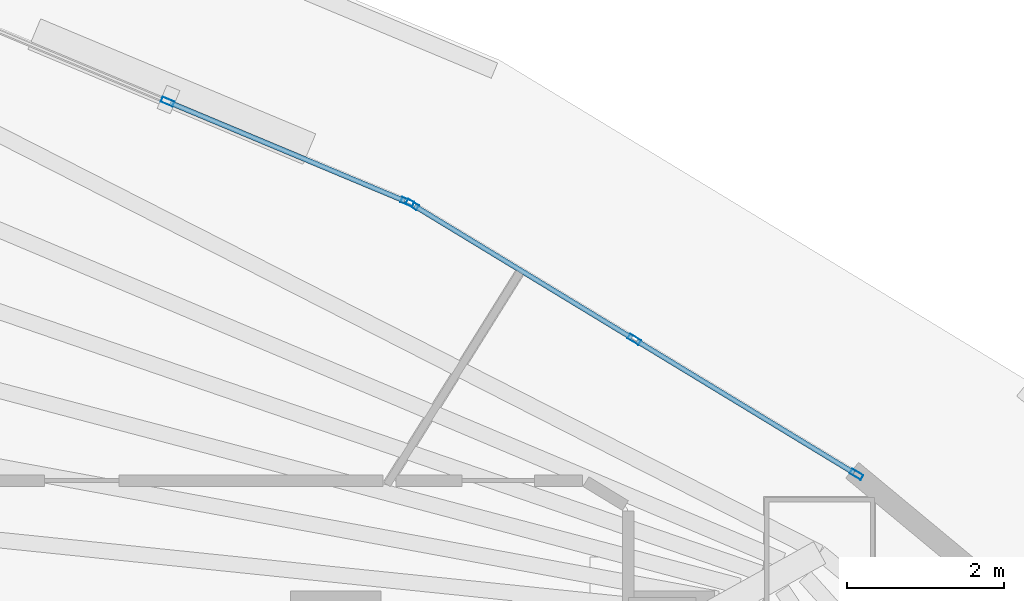
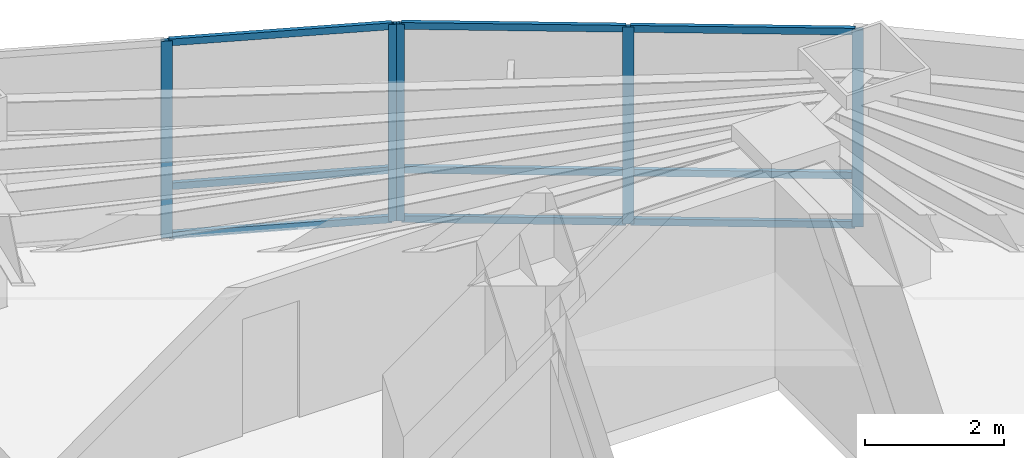
# One storey, part 11 of 17: 14 members, 2 elements without a shape of their own.
"""IFC4 building model written with IfcOpenShell, lengths in metres."""

from ifc_helpers import new_model, si_unit, direction, frame, origin, origin_2d, place, context, subcontext, project, spatial, hollow_rectangle, extrude, material, layer, layer_set, material_profile, profile_set, type_object, element, aggregate, save


model = new_model("IFC4")

# Units and contexts
model_context = context("Model", 3, precision=1e-05, world=origin(), true_north=direction((0.0, 1.0)))
body_context = subcontext(model_context, "Body", "Model", "MODEL_VIEW")
ifc_project = project(units=[si_unit("LENGTHUNIT", "METRE"), si_unit("AREAUNIT", "SQUARE_METRE"), si_unit("VOLUMEUNIT", "CUBIC_METRE"), si_unit("PLANEANGLEUNIT", "RADIAN"), si_unit("MASSUNIT", "GRAM", prefix="KILO")], contexts=[model_context])

# Site, building, storey
site_placement = place(None, origin())
site = spatial("IfcSite", under=ifc_project, at=site_placement, CompositionType="ELEMENT")
building_placement = place(site_placement, origin())
building = spatial("IfcBuilding", under=site, at=building_placement, Name="Menara Vayukalpa", CompositionType="ELEMENT")
storey_placement = place(building_placement, frame((0.0, 0.0, 27.60009765625)))
storey = spatial("IfcBuildingStorey", under=building, at=storey_placement, Name="L05", CompositionType="ELEMENT", Elevation=27.60009765625)

# Curtain wall, members
ifc_material_1 = material(Name="Anodised Terracotta Aluminium Alloy 6063-T6", Category="masonry")
ifc_layer = layer(ifc_material_1, 0.1650390625)
ifc_layer_set = layer_set([ifc_layer], Name="Anodised Terracotta Aluminium Alloy 6063-T6")
curtain_wall_type = type_object("IfcCurtainWallType", Name="CW-CW2", PredefinedType="USERDEFINED", material=ifc_layer_set)
curtain_wall_1_placement = place(storey_placement, origin())
curtain_wall_1 = element("IfcCurtainWall", 1, at=curtain_wall_1_placement, inside=storey, type_object=curtain_wall_type, Name="L05 Low Rise Terracotta Ribbon Curtain Wall CW2 04", ObjectType="UNITISED", PredefinedType="USERDEFINED")
ifc_material_2 = material(Name="Anodised Terracotta Aluminium Alloy 6063-T6", Category="masonry")
ifc_material_profile_1 = material_profile(ifc_material_2, hollow_rectangle(XDim=0.070068359375, YDim=0.1650390625, WallThickness=0.00390625, at=origin_2d()), Name="ALU 70x165x4")
ifc_profile_set_1 = profile_set([ifc_material_profile_1], Name="Anodised Terracotta Aluminium Alloy 6063-T6")
member_type_1 = type_object("IfcMemberType", Name="CWM-CW2", PredefinedType="MULLION", material=ifc_profile_set_1)
member_1_placement = place(storey_placement, frame((35.787353515625, 28.861572265625, 0.0), z_axis=(0.0, 0.0, 1.0), x_axis=(-0.519181964377, -0.854663727945, 0.0)))
member_1 = element("IfcMember", 2, at=member_1_placement, type_object=member_type_1, Name="CW2 mullion 1", PredefinedType="MULLION", context=body_context, shape_type="SweptSolid", body=[
    extrude(hollow_rectangle(XDim=0.070068359375, YDim=0.1650390625, WallThickness=0.00390625, at=origin_2d()), origin(), (0.0, 0.0, 1.0), 3.469970703125),
])
member_2_placement = place(storey_placement, frame((32.9560546875, 30.581298828125, 0.0), z_axis=(0.0, 0.0, 1.0), x_axis=(-0.519181964377, -0.854663727945, 0.0)))
member_2 = element("IfcMember", 3, at=member_2_placement, type_object=member_type_1, Name="CW2 mullion 2", PredefinedType="MULLION", context=body_context, shape_type="SweptSolid", body=[
    extrude(hollow_rectangle(XDim=0.070068359375, YDim=0.1650390625, WallThickness=0.00390625, at=origin_2d()), origin(), (0.0, 0.0, 1.0), 3.469970703125),
])
member_3_placement = place(storey_placement, frame((30.125, 32.30126953125, 0.0), z_axis=(0.0, 0.0, 1.0), x_axis=(-0.519181964377, -0.854663727945, 0.0)))
member_3 = element("IfcMember", 4, at=member_3_placement, type_object=member_type_1, Name="CW2 mullion 3", PredefinedType="MULLION", context=body_context, shape_type="SweptSolid", body=[
    extrude(hollow_rectangle(XDim=0.070068359375, YDim=0.1650390625, WallThickness=0.00390625, at=origin_2d()), origin(), (0.0, 0.0, 1.0), 3.469970703125),
])

curtain_wall_2_placement = place(storey_placement, origin())
curtain_wall_2 = element("IfcCurtainWall", 5, at=curtain_wall_2_placement, inside=storey, type_object=curtain_wall_type, Name="L05 Low Rise Terracotta Ribbon Curtain Wall CW2 05", ObjectType="UNITISED", PredefinedType="USERDEFINED")
member_4_placement = place(storey_placement, frame((30.062744140625, 32.3330078125, 0.0), z_axis=(0.0, 0.0, 1.0), x_axis=(-0.385895120445, -0.922542658101, 0.0)))
member_4 = element("IfcMember", 6, at=member_4_placement, type_object=member_type_1, Name="CW2 mullion 1", PredefinedType="MULLION", context=body_context, shape_type="SweptSolid", body=[
    extrude(hollow_rectangle(XDim=0.070068359375, YDim=0.1650390625, WallThickness=0.00390625, at=origin_2d()), origin(), (0.0, 0.0, 1.0), 3.469970703125),
])
member_5_placement = place(storey_placement, frame((27.0068359375, 33.611083984375, 0.0), z_axis=(0.0, 0.0, 1.0), x_axis=(-0.385895120445, -0.922542658101, 0.0)))
member_5 = element("IfcMember", 7, at=member_5_placement, type_object=member_type_1, Name="CW2 mullion 2", PredefinedType="MULLION", context=body_context, shape_type="SweptSolid", body=[
    extrude(hollow_rectangle(XDim=0.070068359375, YDim=0.1650390625, WallThickness=0.00390625, at=origin_2d()), origin(), (0.0, 0.0, 1.0), 3.469970703125),
])

# Member
ifc_material_3 = material(Name="Anodised Terracotta Aluminium Alloy 6063-T6", Category="masonry")
ifc_material_profile_2 = material_profile(ifc_material_3, hollow_rectangle(XDim=0.06494140625, YDim=0.1201171875, WallThickness=0.00341796875, at=origin_2d()), Name="ALU 65x120x3.5")
ifc_profile_set_2 = profile_set([ifc_material_profile_2], Name="Anodised Terracotta Aluminium Alloy 6063-T6")
member_type_2 = type_object("IfcMemberType", Name="CWT-CW2", PredefinedType="USERDEFINED", material=ifc_profile_set_2)
member_6_placement = place(storey_placement, frame((35.75732421875, 28.879638671875, 0.032470703125), z_axis=(-0.854643142641, 0.519215849851, 0.0), x_axis=(-0.519215849851, -0.854643142641, 0.0)))
member_6 = element("IfcMember", 8, at=member_6_placement, type_object=member_type_2, Name="CW2 transom 1.1", ObjectType="TRANSOM", PredefinedType="USERDEFINED", context=body_context, shape_type="SweptSolid", body=[
    extrude(hollow_rectangle(XDim=0.06494140625, YDim=0.1201171875, WallThickness=0.00341796875, at=origin_2d()), origin(), (0.0, 0.0, 1.0), 3.24267578125),
])

member_7_placement = place(storey_placement, frame((35.75732421875, 28.879638671875, 0.89990234375), z_axis=(-0.854643142641, 0.519215849851, 0.0), x_axis=(-0.519215849851, -0.854643142641, 0.0)))
member_7 = element("IfcMember", 9, at=member_7_placement, type_object=member_type_2, Name="CW2 transom 1.2", ObjectType="TRANSOM", PredefinedType="USERDEFINED", context=body_context, shape_type="SweptSolid", body=[
    extrude(hollow_rectangle(XDim=0.06494140625, YDim=0.1201171875, WallThickness=0.00341796875, at=origin_2d()), origin(), (0.0, 0.0, 1.0), 3.24267578125),
])

member_8_placement = place(storey_placement, frame((35.75732421875, 28.879638671875, 3.4375), z_axis=(-0.854643142641, 0.519215849851, 0.0), x_axis=(-0.519215849851, -0.854643142641, 0.0)))
member_8 = element("IfcMember", 10, at=member_8_placement, type_object=member_type_2, Name="CW2 transom 1.3", ObjectType="TRANSOM", PredefinedType="USERDEFINED", context=body_context, shape_type="SweptSolid", body=[
    extrude(hollow_rectangle(XDim=0.06494140625, YDim=0.1201171875, WallThickness=0.00341796875, at=origin_2d()), origin(), (0.0, 0.0, 1.0), 3.24267578125),
])

member_9_placement = place(storey_placement, frame((32.92626953125, 30.599609375, 0.032470703125), z_axis=(-0.854676552714, 0.519160851992, 0.0), x_axis=(-0.519160851992, -0.854676552714, 0.0)))
member_9 = element("IfcMember", 11, at=member_9_placement, type_object=member_type_2, Name="CW2 transom 2.1", ObjectType="TRANSOM", PredefinedType="USERDEFINED", context=body_context, shape_type="SweptSolid", body=[
    extrude(hollow_rectangle(XDim=0.06494140625, YDim=0.1201171875, WallThickness=0.00341796875, at=origin_2d()), origin(), (0.0, 0.0, 1.0), 3.242431640625),
])

member_10_placement = place(storey_placement, frame((32.92626953125, 30.599609375, 0.89990234375), z_axis=(-0.854676552714, 0.519160851992, 0.0), x_axis=(-0.519160851992, -0.854676552714, 0.0)))
member_10 = element("IfcMember", 12, at=member_10_placement, type_object=member_type_2, Name="CW2 transom 2.2", ObjectType="TRANSOM", PredefinedType="USERDEFINED", context=body_context, shape_type="SweptSolid", body=[
    extrude(hollow_rectangle(XDim=0.06494140625, YDim=0.1201171875, WallThickness=0.00341796875, at=origin_2d()), origin(), (0.0, 0.0, 1.0), 3.242431640625),
])

member_11_placement = place(storey_placement, frame((32.92626953125, 30.599609375, 3.4375), z_axis=(-0.854676552714, 0.519160851992, 0.0), x_axis=(-0.519160851992, -0.854676552714, 0.0)))
member_11 = element("IfcMember", 13, at=member_11_placement, type_object=member_type_2, Name="CW2 transom 2.3", ObjectType="TRANSOM", PredefinedType="USERDEFINED", context=body_context, shape_type="SweptSolid", body=[
    extrude(hollow_rectangle(XDim=0.06494140625, YDim=0.1201171875, WallThickness=0.00341796875, at=origin_2d()), origin(), (0.0, 0.0, 1.0), 3.242431640625),
])

aggregate(curtain_wall_1, [member_1, member_2, member_3, member_6, member_7, member_8, member_9, member_10, member_11])

member_12_placement = place(storey_placement, frame((30.030517578125, 32.346435546875, 0.032470703125), z_axis=(-0.922552588381, 0.385871379699, 0.0), x_axis=(-0.385871379699, -0.922552588381, 0.0)))
member_12 = element("IfcMember", 14, at=member_12_placement, type_object=member_type_2, Name="CW2 transom 1.1", ObjectType="TRANSOM", PredefinedType="USERDEFINED", context=body_context, shape_type="SweptSolid", body=[
    extrude(hollow_rectangle(XDim=0.06494140625, YDim=0.1201171875, WallThickness=0.00341796875, at=origin_2d()), origin(), (0.0, 0.0, 1.0), 3.24267578125),
])

member_13_placement = place(storey_placement, frame((30.030517578125, 32.346435546875, 0.89990234375), z_axis=(-0.922552588381, 0.385871379699, 0.0), x_axis=(-0.385871379699, -0.922552588381, 0.0)))
member_13 = element("IfcMember", 15, at=member_13_placement, type_object=member_type_2, Name="CW2 transom 1.2", ObjectType="TRANSOM", PredefinedType="USERDEFINED", context=body_context, shape_type="SweptSolid", body=[
    extrude(hollow_rectangle(XDim=0.06494140625, YDim=0.1201171875, WallThickness=0.00341796875, at=origin_2d()), origin(), (0.0, 0.0, 1.0), 3.24267578125),
])

member_14_placement = place(storey_placement, frame((30.030517578125, 32.346435546875, 3.4375), z_axis=(-0.922552588381, 0.385871379699, 0.0), x_axis=(-0.385871379699, -0.922552588381, 0.0)))
member_14 = element("IfcMember", 16, at=member_14_placement, type_object=member_type_2, Name="CW2 transom 1.3", ObjectType="TRANSOM", PredefinedType="USERDEFINED", context=body_context, shape_type="SweptSolid", body=[
    extrude(hollow_rectangle(XDim=0.06494140625, YDim=0.1201171875, WallThickness=0.00341796875, at=origin_2d()), origin(), (0.0, 0.0, 1.0), 3.24267578125),
])

aggregate(curtain_wall_2, [member_4, member_5, member_12, member_13, member_14])

save(model, "model.ifc")
